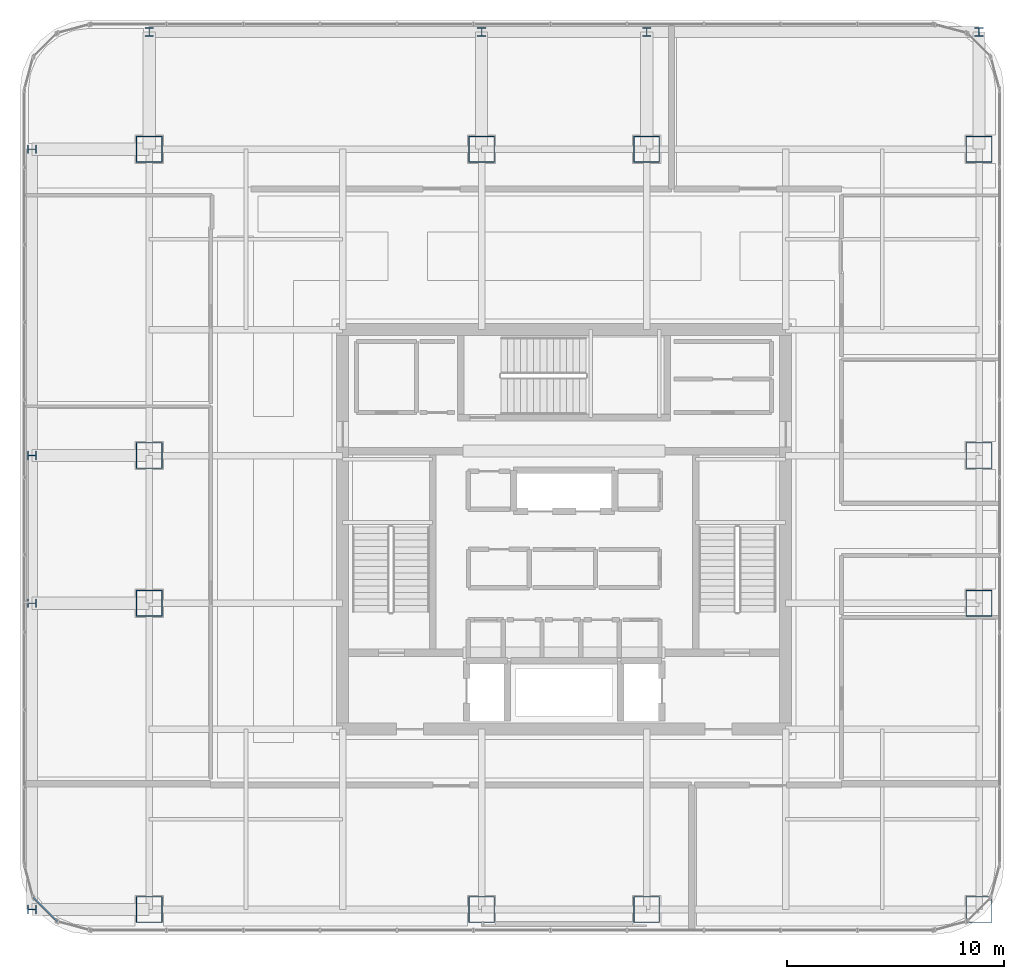
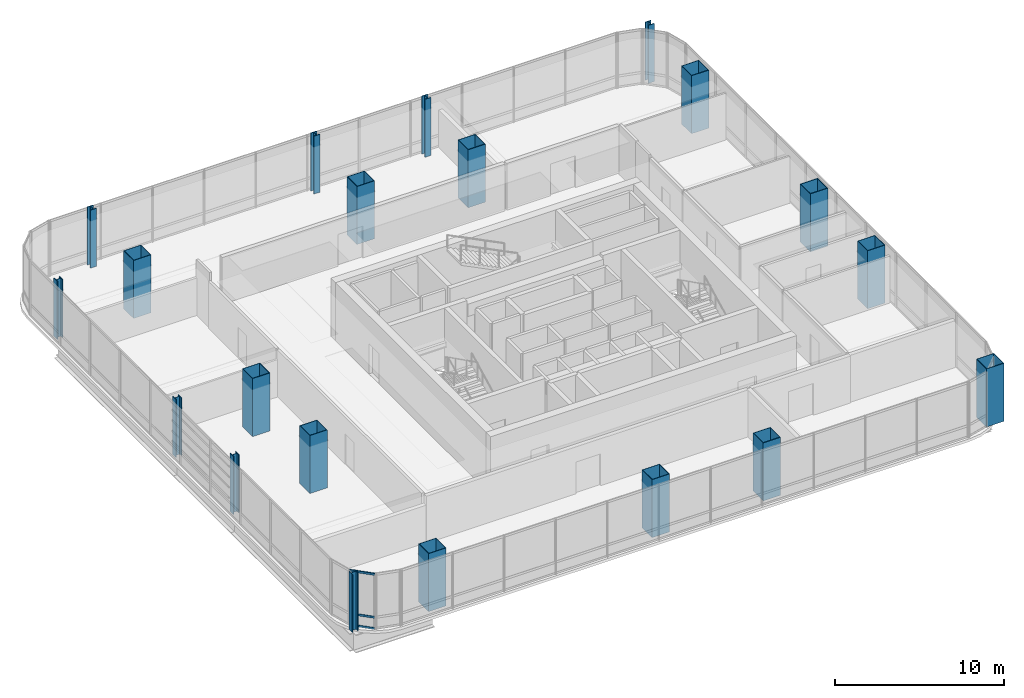
# One storey, part 1 of 42: 20 columns, 3 members, 1 element without a shape of its own.
"""IFC4 building model written with IfcOpenShell, lengths in metres."""

from ifc_helpers import new_model, si_unit, direction, frame, origin, origin_2d, place, context, subcontext, project, spatial, hollow_rectangle, i_section, extrude, material, material_profile, profile_set, type_object, element, aggregate, save


model = new_model("IFC4")

# Units and contexts
model_context = context("Model", 3, precision=1e-05, world=origin(), true_north=direction((0.0, 1.0)))
body_context = subcontext(model_context, "Body", "Model", "MODEL_VIEW")
ifc_project = project(units=[si_unit("LENGTHUNIT", "METRE"), si_unit("AREAUNIT", "SQUARE_METRE"), si_unit("VOLUMEUNIT", "CUBIC_METRE"), si_unit("PLANEANGLEUNIT", "RADIAN"), si_unit("MASSUNIT", "GRAM", prefix="KILO")], contexts=[model_context])

# Site, building, storey
site_placement = place(None, origin())
site = spatial("IfcSite", under=ifc_project, at=site_placement, CompositionType="ELEMENT")
building_placement = place(site_placement, origin())
building = spatial("IfcBuilding", under=site, at=building_placement, Name="Punatoya Terracotta Tower", CompositionType="ELEMENT")
storey_placement = place(building_placement, frame((0.0, 0.0, 304.800048828125)))
storey = spatial("IfcBuildingStorey", under=building, at=storey_placement, Name="L72", CompositionType="ELEMENT", Elevation=304.800048828125)

# Columns
ifc_material_1 = material(Name="Steel S460", Category="steel")
ifc_material_profile_1 = material_profile(ifc_material_1, i_section(OverallWidth=0.406005859375, OverallDepth=0.416015625, WebThickness=0.029052734375, FlangeThickness=0.048095703125, FilletRadius=0.01806640625, at=origin_2d()))
ifc_profile_set_1 = profile_set([ifc_material_profile_1], Name="Steel S460")
column_type_1 = type_object("IfcColumnType", Name="COL-EX-M3", PredefinedType="COLUMN", material=ifc_profile_set_1)
for number, where, z_axis, x_axis, name in (
    (1, (-19.10009765625, 22.89990234375, 0.0), (0.0, 0.0, 1.0), (1.0, 0.0, 0.0), "L72 Exoskeleton Perimeter Column N1"),
    (2, (-3.800048828125, 22.89990234375, 0.0), (0.0, 0.0, 1.0), (1.0, 0.0, 0.0), "L72 Exoskeleton Perimeter Column N2"),
    (3, (3.800048828125, 22.89990234375, 0.0), (0.0, 0.0, 1.0), (1.0, 0.0, 0.0), "L72 Exoskeleton Perimeter Column N3"),
    (4, (19.10009765625, 22.89990234375, 0.0), (0.0, 0.0, 1.0), (1.0, 0.0, 0.0), "L72 Exoskeleton Perimeter Column N4"),
    (5, (-24.5, -17.5, 0.0), (0.0, 0.0, 1.0), (0.0, 1.0, 0.0), "L72 Exoskeleton Perimeter Column W1"),
    (6, (-24.5, -3.39990234375, 0.0), (0.0, 0.0, 1.0), (0.0, 1.0, 0.0), "L72 Exoskeleton Perimeter Column W2"),
    (7, (-24.5, 3.39990234375, 0.0), (0.0, 0.0, 1.0), (0.0, 1.0, 0.0), "L72 Exoskeleton Perimeter Column W3"),
    (8, (-24.5, 17.5, 0.0), (0.0, 0.0, 1.0), (0.0, 1.0, 0.0), "L72 Exoskeleton Perimeter Column W4"),
):
    element("IfcColumn", number, at=place(storey_placement, frame(where, z_axis=z_axis, x_axis=x_axis)), inside=storey, type_object=column_type_1, Name=name, PredefinedType="COLUMN", context=body_context, shape_type="SweptSolid", body=[
        extrude(i_section(OverallWidth=0.406005859375, OverallDepth=0.416015625, WebThickness=0.029052734375, FlangeThickness=0.048095703125, FilletRadius=0.01806640625, at=origin_2d()), origin(), (0.0, 0.0, 1.0), 4.197998046875),
    ])
ifc_material_profile_2 = material_profile(ifc_material_1, hollow_rectangle(XDim=1.199951171875, YDim=1.199951171875, WallThickness=0.034912109375, at=origin_2d()))
ifc_profile_set_2 = profile_set([ifc_material_profile_2], Name="Steel S460")
column_type_2 = type_object("IfcColumnType", Name="COL-MC-Z4", PredefinedType="COLUMN", material=ifc_profile_set_2)
for number, where, z_axis, x_axis, name in (
    (9, (-19.10009765625, -17.5, 0.0), (0.0, 0.0, 1.0), (1.0, 0.0, 0.0), "L72 Composite Mega-Column MC-01 (3-B)"),
    (10, (-3.800048828125, -17.5, 0.0), (0.0, 0.0, 1.0), (1.0, 0.0, 0.0), "L72 Composite Mega-Column MC-02 (5-B)"),
    (11, (3.800048828125, -17.5, 0.0), (0.0, 0.0, 1.0), (1.0, 0.0, 0.0), "L72 Composite Mega-Column MC-03 (7-B)"),
    (12, (19.10009765625, -17.5, 0.0), (0.0, 0.0, 1.0), (1.0, 0.0, 0.0), "L72 Composite Mega-Column MC-04 (9-B)"),
    (13, (19.10009765625, -3.39990234375, 0.0), (0.0, 0.0, 1.0), (1.0, 0.0, 0.0), "L72 Composite Mega-Column MC-05 (9-D)"),
    (14, (19.10009765625, 3.39990234375, 0.0), (0.0, 0.0, 1.0), (1.0, 0.0, 0.0), "L72 Composite Mega-Column MC-06 (9-E)"),
    (15, (19.10009765625, 17.5, 0.0), (0.0, 0.0, 1.0), (1.0, 0.0, 0.0), "L72 Composite Mega-Column MC-07 (9-G)"),
    (16, (3.800048828125, 17.5, 0.0), (0.0, 0.0, 1.0), (1.0, 0.0, 0.0), "L72 Composite Mega-Column MC-08 (7-G)"),
    (17, (-3.800048828125, 17.5, 0.0), (0.0, 0.0, 1.0), (1.0, 0.0, 0.0), "L72 Composite Mega-Column MC-09 (5-G)"),
    (18, (-19.10009765625, 17.5, 0.0), (0.0, 0.0, 1.0), (1.0, 0.0, 0.0), "L72 Composite Mega-Column MC-10 (3-G)"),
    (19, (-19.10009765625, 3.39990234375, 0.0), (0.0, 0.0, 1.0), (1.0, 0.0, 0.0), "L72 Composite Mega-Column MC-11 (3-E)"),
    (20, (-19.10009765625, -3.39990234375, 0.0), (0.0, 0.0, 1.0), (1.0, 0.0, 0.0), "L72 Composite Mega-Column MC-12 (3-D)"),
):
    element("IfcColumn", number, at=place(storey_placement, frame(where, z_axis=z_axis, x_axis=x_axis)), inside=storey, type_object=column_type_2, Name=name, PredefinedType="COLUMN", context=body_context, shape_type="SweptSolid", body=[
        extrude(hollow_rectangle(XDim=1.199951171875, YDim=1.199951171875, WallThickness=0.034912109375, at=origin_2d()), origin(), (0.0, 0.0, 1.0), 4.199951171875),
    ])

# Curtain wall, members
ifc_material_2 = material(Name="Aluminium 6063-T6 + Double Low-E Glass", Category="aluminium")
curtain_wall_type = type_object("IfcCurtainWallType", Name="CW-M3", PredefinedType="NOTDEFINED", material=ifc_material_2)
curtain_wall_placement = place(storey_placement, origin())
curtain_wall = element("IfcCurtainWall", 21, at=curtain_wall_placement, inside=storey, type_object=curtain_wall_type, Name="L72 Curtain Wall CW-L72-CRN15", PredefinedType="NOTDEFINED")
ifc_material_3 = material(Name="Aluminium 6063-T6", Category="aluminium")
ifc_material_profile_3 = material_profile(ifc_material_3, hollow_rectangle(XDim=0.068115234375, YDim=0.14990234375, WallThickness=0.00390625, at=origin_2d()))
ifc_profile_set_3 = profile_set([ifc_material_profile_3], Name="Aluminium 6063-T6")
member_type = type_object("IfcMemberType", Name="CW-TRN-TYP", PredefinedType="USERDEFINED", material=ifc_profile_set_3)
member_1_placement = place(storey_placement, frame((-24.446533203125, -16.94921875, 0.0400390625), z_axis=(0.707106781187, -0.707106781187, 0.0), x_axis=(0.707106781187, 0.707106781187, 0.0)))
member_1 = element("IfcMember", 22, at=member_1_placement, type_object=member_type, Name="CW-L72-CRN15 Transom 1", ObjectType="TRANSOM", PredefinedType="USERDEFINED", context=body_context, shape_type="SweptSolid", body=[
    extrude(hollow_rectangle(XDim=0.068115234375, YDim=0.14990234375, WallThickness=0.00390625, at=origin_2d()), origin(), (0.0, 0.0, 1.0), 1.552001953125),
])
member_2_placement = place(storey_placement, frame((-24.446533203125, -16.94921875, 0.849853515625), z_axis=(0.707106781187, -0.707106781187, 0.0), x_axis=(0.707106781187, 0.707106781187, 0.0)))
member_2 = element("IfcMember", 23, at=member_2_placement, type_object=member_type, Name="CW-L72-CRN15 Transom 2", ObjectType="TRANSOM", PredefinedType="USERDEFINED", context=body_context, shape_type="SweptSolid", body=[
    extrude(hollow_rectangle(XDim=0.068115234375, YDim=0.14990234375, WallThickness=0.00390625, at=origin_2d()), origin(), (0.0, 0.0, 1.0), 1.552001953125),
])
member_3_placement = place(storey_placement, frame((-24.446533203125, -16.94921875, 3.9599609375), z_axis=(0.707106781187, -0.707106781187, 0.0), x_axis=(0.707106781187, 0.707106781187, 0.0)))
member_3 = element("IfcMember", 24, at=member_3_placement, type_object=member_type, Name="CW-L72-CRN15 Transom 3", ObjectType="TRANSOM", PredefinedType="USERDEFINED", context=body_context, shape_type="SweptSolid", body=[
    extrude(hollow_rectangle(XDim=0.068115234375, YDim=0.14990234375, WallThickness=0.00390625, at=origin_2d()), origin(), (0.0, 0.0, 1.0), 1.552001953125),
])
aggregate(curtain_wall, [member_1, member_2, member_3])

save(model, "model.ifc")
